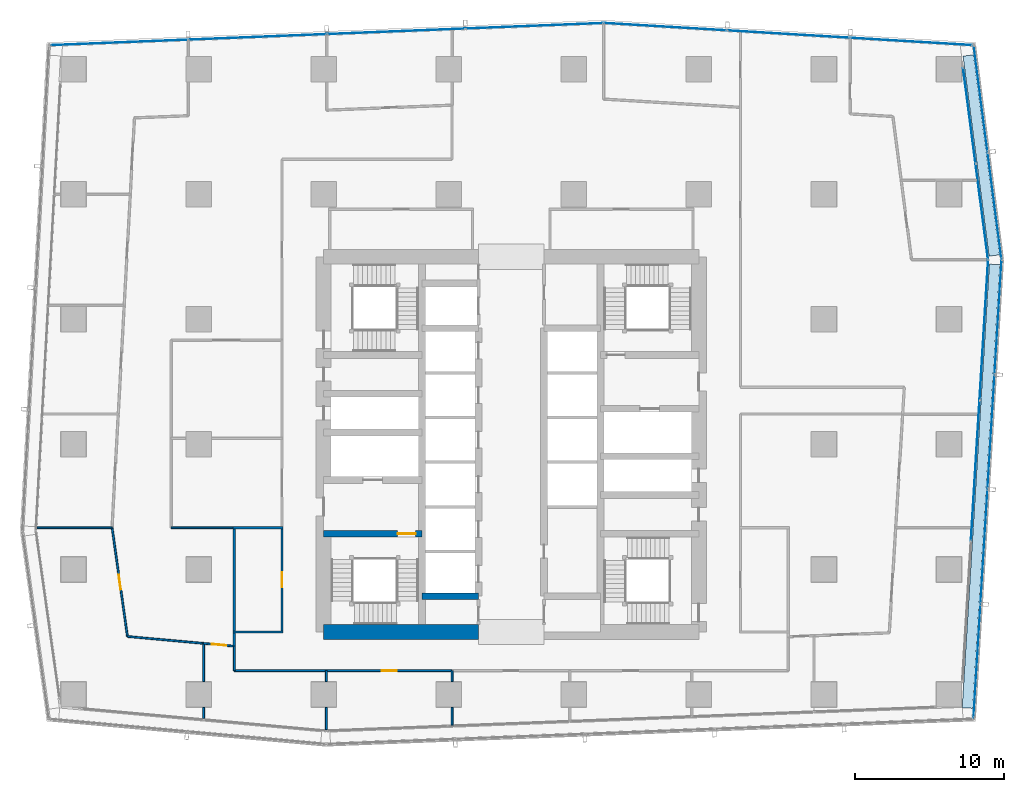
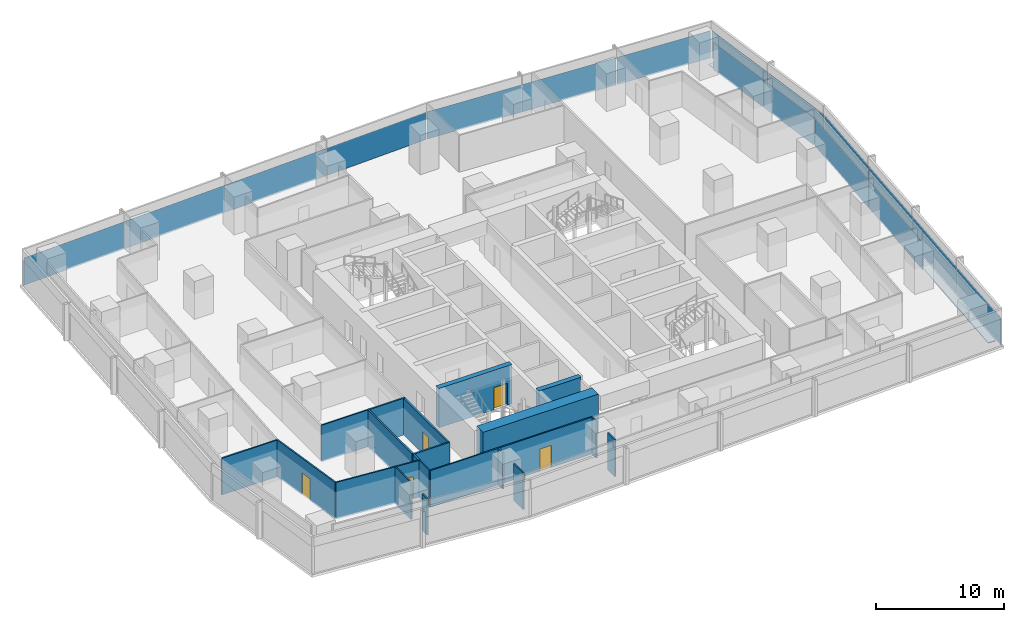
# One storey, part 28 of 40: 22 walls, 19 plates, 5 doors, 5 openings, 6 elements without a shape of their own.
"""IFC4 building model written with IfcOpenShell, lengths in metres."""

from ifc_helpers import new_model, si_unit, direction, frame, frame_2d, origin, origin_2d, place, context, subcontext, project, spatial, rectangle, extrude, material, layer, layer_set, type_object, element, fill, aggregate, save


model = new_model("IFC4")

# Units and contexts
model_context = context("Model", 3, precision=1e-05, world=origin(), true_north=direction((0.0, 1.0)))
body_context = subcontext(model_context, "Body", "Model", "MODEL_VIEW")
ifc_project = project(units=[si_unit("LENGTHUNIT", "METRE"), si_unit("AREAUNIT", "SQUARE_METRE"), si_unit("VOLUMEUNIT", "CUBIC_METRE"), si_unit("PLANEANGLEUNIT", "RADIAN"), si_unit("MASSUNIT", "GRAM", prefix="KILO")], contexts=[model_context])

# Site, building, storey
site_placement = place(None, origin())
site = spatial("IfcSite", under=ifc_project, at=site_placement, CompositionType="ELEMENT")
building_placement = place(site_placement, origin())
building = spatial("IfcBuilding", under=site, at=building_placement, Name="Rekha Terrace Tower", CompositionType="ELEMENT")
storey_placement = place(building_placement, frame((0.0, 0.0, 136.550048828125)))
storey = spatial("IfcBuildingStorey", under=building, at=storey_placement, Name="L34", CompositionType="ELEMENT", Elevation=136.550048828125)

# Curtain wall, plates
ifc_material_1 = material(Name="Aluminium framing", Category="aluminium")
curtain_wall_type_1 = type_object("IfcCurtainWallType", Name="CW1 double skin inner glazing", PredefinedType="USERDEFINED", material=ifc_material_1)
curtain_wall_1_placement = place(storey_placement, origin())
curtain_wall_1 = element("IfcCurtainWall", 1, at=curtain_wall_1_placement, inside=storey, type_object=curtain_wall_type_1, Name="CW1 double skin inner glazing", ObjectType="DOUBLE SKIN INNER GLAZING", PredefinedType="USERDEFINED")
ifc_material_2 = material(Name="Double-glazed low-e unit 32", Category="glass")
ifc_layer_1 = layer(ifc_material_2, 0.031982421875)
ifc_layer_set_1 = layer_set([ifc_layer_1], Name="Double-glazed low-e unit 32")
plate_type_1 = type_object("IfcPlateType", Name="CW1 jumbo vision panel, double-glazed low-e unit 32", PredefinedType="CURTAIN_PANEL", material=ifc_layer_set_1)
plate_1_placement = place(storey_placement, frame((68.968505859375, 31.8193359375, 0.0), z_axis=(0.0, 0.0, 1.0), x_axis=(0.061159803131, 0.998127987024, 0.0)))
plate_1 = element("IfcPlate", 2, at=plate_1_placement, type_object=plate_type_1, Name="CW1 panel 2.1", PredefinedType="CURTAIN_PANEL", context=body_context, shape_type="SweptSolid", body=[
    extrude(rectangle(XDim=9.3876953125, YDim=0.031982421875, at=origin_2d()), origin(), (0.0, 0.0, 1.0), 2.60009765625),
])
plate_2_placement = place(storey_placement, frame((69.547607421875, 41.2705078125, 0.0), z_axis=(0.0, 0.0, 1.0), x_axis=(0.061159803131, 0.998127987024, 0.0)))
plate_2 = element("IfcPlate", 3, at=plate_2_placement, type_object=plate_type_1, Name="CW1 panel 3.1", PredefinedType="CURTAIN_PANEL", context=body_context, shape_type="SweptSolid", body=[
    extrude(rectangle(XDim=9.420166015625, YDim=0.031982421875, at=origin_2d()), origin(), (0.0, 0.0, 1.0), 2.60009765625),
])
aggregate(curtain_wall_1, [plate_1, plate_2])

curtain_wall_2_placement = place(storey_placement, origin())
curtain_wall_2 = element("IfcCurtainWall", 4, at=curtain_wall_2_placement, inside=storey, type_object=curtain_wall_type_1, Name="CW1 double skin inner glazing", ObjectType="DOUBLE SKIN INNER GLAZING", PredefinedType="USERDEFINED")
plate_3_placement = place(storey_placement, frame((69.411376953125, 49.230712890625, 0.0), z_axis=(0.0, 0.0, 1.0), x_axis=(-0.129118383675, 0.991629186237, 0.0)))
plate_3 = element("IfcPlate", 5, at=plate_3_placement, type_object=plate_type_1, Name="CW1 panel 1.1", PredefinedType="CURTAIN_PANEL", context=body_context, shape_type="SweptSolid", body=[
    extrude(rectangle(XDim=6.443115234375, YDim=0.031982421875, at=origin_2d()), origin(), (0.0, 0.0, 1.0), 2.60009765625),
])
plate_4_placement = place(storey_placement, frame((68.571044921875, 55.68408203125, 0.0), z_axis=(0.0, 0.0, 1.0), x_axis=(-0.129118383675, 0.991629186237, 0.0)))
plate_4 = element("IfcPlate", 6, at=plate_4_placement, type_object=plate_type_1, Name="CW1 panel 2.1", PredefinedType="CURTAIN_PANEL", context=body_context, shape_type="SweptSolid", body=[
    extrude(rectangle(XDim=6.443115234375, YDim=0.031982421875, at=origin_2d()), origin(), (0.0, 0.0, 1.0), 2.60009765625),
])
aggregate(curtain_wall_2, [plate_3, plate_4])

curtain_wall_type_2 = type_object("IfcCurtainWallType", Name="CW2 double skin outer glazing", PredefinedType="USERDEFINED", material=ifc_material_1)
curtain_wall_3_placement = place(storey_placement, origin())
curtain_wall_3 = element("IfcCurtainWall", 7, at=curtain_wall_3_placement, inside=storey, type_object=curtain_wall_type_2, Name="CW2 double skin outer glazing", ObjectType="DOUBLE SKIN OUTER GLAZING", PredefinedType="USERDEFINED")
ifc_material_3 = material(Name="Toughened single glazing 12", Category="glass")
ifc_layer_2 = layer(ifc_material_3, 0.011962890625)
ifc_layer_set_2 = layer_set([ifc_layer_2], Name="Toughened single glazing 12")
plate_type_2 = type_object("IfcPlateType", Name="CW2 jumbo vision panel, toughened single glazing 12", PredefinedType="CURTAIN_PANEL", material=ifc_layer_set_2)
plate_5_placement = place(storey_placement, frame((69.086669921875, 19.0302734375, 0.0), z_axis=(0.0, 0.0, 1.0), x_axis=(0.061159803131, 0.998127987024, 0.0)))
plate_5 = element("IfcPlate", 8, at=plate_5_placement, type_object=plate_type_2, Name="CW2 panel 1.1", PredefinedType="CURTAIN_PANEL", context=body_context, shape_type="SweptSolid", body=[
    extrude(rectangle(XDim=7.6064453125, YDim=0.011962890625, at=origin_2d()), origin(), (0.0, 0.0, 1.0), 2.60009765625),
])
plate_6_placement = place(storey_placement, frame((69.557861328125, 26.722412109375, 0.0), z_axis=(0.0, 0.0, 1.0), x_axis=(0.061159803131, 0.998127987024, 0.0)))
plate_6 = element("IfcPlate", 9, at=plate_6_placement, type_object=plate_type_2, Name="CW2 panel 2.1", PredefinedType="CURTAIN_PANEL", context=body_context, shape_type="SweptSolid", body=[
    extrude(rectangle(XDim=7.646484375, YDim=0.011962890625, at=origin_2d()), origin(), (0.0, 0.0, 1.0), 2.60009765625),
])
plate_7_placement = place(storey_placement, frame((70.030517578125, 34.434326171875, 0.0), z_axis=(0.0, 0.0, 1.0), x_axis=(0.061159803131, 0.998127987024, 0.0)))
plate_7 = element("IfcPlate", 10, at=plate_7_placement, type_object=plate_type_2, Name="CW2 panel 3.1", PredefinedType="CURTAIN_PANEL", context=body_context, shape_type="SweptSolid", body=[
    extrude(rectangle(XDim=7.646484375, YDim=0.011962890625, at=origin_2d()), origin(), (0.0, 0.0, 1.0), 2.60009765625),
])
plate_8_placement = place(storey_placement, frame((70.50439453125, 42.16650390625, 0.0), z_axis=(0.0, 0.0, 1.0), x_axis=(0.061159803131, 0.998127987024, 0.0)))
plate_8 = element("IfcPlate", 11, at=plate_8_placement, type_object=plate_type_2, Name="CW2 panel 4.1", PredefinedType="CURTAIN_PANEL", context=body_context, shape_type="SweptSolid", body=[
    extrude(rectangle(XDim=7.6865234375, YDim=0.011962890625, at=origin_2d()), origin(), (0.0, 0.0, 1.0), 2.60009765625),
])
aggregate(curtain_wall_3, [plate_5, plate_6, plate_7, plate_8])

curtain_wall_4_placement = place(storey_placement, origin())
curtain_wall_4 = element("IfcCurtainWall", 12, at=curtain_wall_4_placement, inside=storey, type_object=curtain_wall_type_2, Name="CW2 double skin outer glazing", ObjectType="DOUBLE SKIN OUTER GLAZING", PredefinedType="USERDEFINED")
plate_9_placement = place(storey_placement, frame((70.2666015625, 49.6337890625, 0.0), z_axis=(0.0, 0.0, 1.0), x_axis=(-0.129118383623, 0.991629186244, 0.0)))
plate_9 = element("IfcPlate", 13, at=plate_9_placement, type_object=plate_type_2, Name="CW2 panel 1.1", PredefinedType="CURTAIN_PANEL", context=body_context, shape_type="SweptSolid", body=[
    extrude(rectangle(XDim=7.163818359375, YDim=0.011962890625, at=origin_2d()), origin(), (0.0, 0.0, 1.0), 2.60009765625),
])
plate_10_placement = place(storey_placement, frame((69.331298828125, 56.81689453125, 0.0), z_axis=(0.0, 0.0, 1.0), x_axis=(-0.129118383623, 0.991629186244, 0.0)))
plate_10 = element("IfcPlate", 14, at=plate_10_placement, type_object=plate_type_2, Name="CW2 panel 2.1", PredefinedType="CURTAIN_PANEL", context=body_context, shape_type="SweptSolid", body=[
    extrude(rectangle(XDim=7.163818359375, YDim=0.011962890625, at=origin_2d()), origin(), (0.0, 0.0, 1.0), 2.60009765625),
])
aggregate(curtain_wall_4, [plate_9, plate_10])

curtain_wall_type_3 = type_object("IfcCurtainWallType", Name="CW3 north unitised glazing", PredefinedType="USERDEFINED", material=ifc_material_1)
curtain_wall_5_placement = place(storey_placement, origin())
curtain_wall_5 = element("IfcCurtainWall", 15, at=curtain_wall_5_placement, inside=storey, type_object=curtain_wall_type_3, Name="CW3 unitised curtain wall", ObjectType="UNITISED CURTAIN WALL", PredefinedType="USERDEFINED")
ifc_material_4 = material(Name="Double-glazed unit 28", Category="glass")
ifc_layer_3 = layer(ifc_material_4, 0.028076171875)
ifc_layer_set_3 = layer_set([ifc_layer_3], Name="Double-glazed unit 28")
plate_type_3 = type_object("IfcPlateType", Name="CW3 jumbo vision panel, double-glazed unit 28", PredefinedType="CURTAIN_PANEL", material=ifc_layer_set_3)
plate_11_placement = place(storey_placement, frame((64.6748046875, 60.65966796875, 0.0), z_axis=(0.0, 0.0, 1.0), x_axis=(-0.998199102701, 0.059987926837, 0.0)))
plate_11 = element("IfcPlate", 16, at=plate_11_placement, type_object=plate_type_3, Name="CW3 panel 1.1", PredefinedType="CURTAIN_PANEL", context=body_context, shape_type="SweptSolid", body=[
    extrude(rectangle(XDim=8.171630859375, YDim=0.028076171875, at=origin_2d()), origin(), (0.0, 0.0, 1.0), 2.60009765625),
])
plate_12_placement = place(storey_placement, frame((56.430419921875, 61.155029296875, 0.0), z_axis=(0.0, 0.0, 1.0), x_axis=(-0.998199102701, 0.059987926837, 0.0)))
plate_12 = element("IfcPlate", 17, at=plate_12_placement, type_object=plate_type_3, Name="CW3 panel 2.1", PredefinedType="CURTAIN_PANEL", context=body_context, shape_type="SweptSolid", body=[
    extrude(rectangle(XDim=8.20654296875, YDim=0.028076171875, at=origin_2d()), origin(), (0.0, 0.0, 1.0), 2.60009765625),
])
plate_13_placement = place(storey_placement, frame((48.1513671875, 61.652587890625, 0.0), z_axis=(0.0, 0.0, 1.0), x_axis=(-0.998199102701, 0.059987926837, 0.0)))
plate_13 = element("IfcPlate", 18, at=plate_13_placement, type_object=plate_type_3, Name="CW3 panel 3.1", PredefinedType="CURTAIN_PANEL", context=body_context, shape_type="SweptSolid", body=[
    extrude(rectangle(XDim=8.24169921875, YDim=0.028076171875, at=origin_2d()), origin(), (0.0, 0.0, 1.0), 2.60009765625),
])
aggregate(curtain_wall_5, [plate_11, plate_12, plate_13])

curtain_wall_6_placement = place(storey_placement, origin())
curtain_wall_6 = element("IfcCurtainWall", 19, at=curtain_wall_6_placement, inside=storey, type_object=curtain_wall_type_3, Name="CW3 unitised curtain wall", ObjectType="UNITISED CURTAIN WALL", PredefinedType="USERDEFINED")
plate_14_placement = place(storey_placement, frame((39.364501953125, 61.71240234375, 0.0), z_axis=(0.0, 0.0, 1.0), x_axis=(-0.999198398721, -0.040031987119, 0.0)))
plate_14 = element("IfcPlate", 20, at=plate_14_placement, type_object=plate_type_3, Name="CW3 panel 1.1", PredefinedType="CURTAIN_PANEL", context=body_context, shape_type="SweptSolid", body=[
    extrude(rectangle(XDim=9.214599609375, YDim=0.028076171875, at=origin_2d()), origin(), (0.0, 0.0, 1.0), 2.60009765625),
])
plate_15_placement = place(storey_placement, frame((30.06982421875, 61.340087890625, 0.0), z_axis=(0.0, 0.0, 1.0), x_axis=(-0.999198398721, -0.040031987119, 0.0)))
plate_15 = element("IfcPlate", 21, at=plate_15_placement, type_object=plate_type_3, Name="CW3 panel 2.1", PredefinedType="CURTAIN_PANEL", context=body_context, shape_type="SweptSolid", body=[
    extrude(rectangle(XDim=9.24951171875, YDim=0.028076171875, at=origin_2d()), origin(), (0.0, 0.0, 1.0), 2.60009765625),
])
plate_16_placement = place(storey_placement, frame((20.7578125, 60.967041015625, 0.0), z_axis=(0.0, 0.0, 1.0), x_axis=(-0.999198398721, -0.040031987119, 0.0)))
plate_16 = element("IfcPlate", 22, at=plate_16_placement, type_object=plate_type_3, Name="CW3 panel 3.1", PredefinedType="CURTAIN_PANEL", context=body_context, shape_type="SweptSolid", body=[
    extrude(rectangle(XDim=9.24951171875, YDim=0.028076171875, at=origin_2d()), origin(), (0.0, 0.0, 1.0), 2.60009765625),
])
plate_17_placement = place(storey_placement, frame((11.46337890625, 60.5947265625, 0.0), z_axis=(0.0, 0.0, 1.0), x_axis=(-0.999198398721, -0.040031987119, 0.0)))
plate_17 = element("IfcPlate", 23, at=plate_17_placement, type_object=plate_type_3, Name="CW3 panel 4.1", PredefinedType="CURTAIN_PANEL", context=body_context, shape_type="SweptSolid", body=[
    extrude(rectangle(XDim=9.214599609375, YDim=0.028076171875, at=origin_2d()), origin(), (0.0, 0.0, 1.0), 2.60009765625),
])
aggregate(curtain_wall_6, [plate_14, plate_15, plate_16, plate_17])

# Plates
ifc_material_5 = material(Name="Galvanised steel open grating", Category="steel")
ifc_layer_4 = layer(ifc_material_5, 0.050048828125)
ifc_layer_set_4 = layer_set([ifc_layer_4], Name="Galvanised steel open grating")
plate_type_4 = type_object("IfcPlateType", Name="GT1 cavity walkway grating 50", PredefinedType="USERDEFINED", material=ifc_layer_set_4)
plate_18_placement = place(storey_placement, frame((69.356201171875, 30.78759765625, 0.0), z_axis=(0.0, 0.0, 1.0), x_axis=(0.061159803131, 0.998127987024, 0.0)))
element("IfcPlate", 24, at=plate_18_placement, inside=storey, type_object=plate_type_4, Name="Cavity walkway grating", ObjectType="CAVITY WALKWAY GRATING", PredefinedType="USERDEFINED", context=body_context, shape_type="SweptSolid", body=[
    extrude(rectangle(XDim=29.85595703125, YDim=0.705078125, at=origin_2d()), origin(), (0.0, 0.0, 1.0), 0.050048828125),
])
plate_19_placement = place(storey_placement, frame((69.373779296875, 53.004150390625, 0.0), z_axis=(0.0, 0.0, 1.0), x_axis=(-0.129118383623, 0.991629186244, 0.0)))
element("IfcPlate", 25, at=plate_19_placement, inside=storey, type_object=plate_type_4, Name="Cavity walkway grating", ObjectType="CAVITY WALKWAY GRATING", PredefinedType="USERDEFINED", context=body_context, shape_type="SweptSolid", body=[
    extrude(rectangle(XDim=13.552734375, YDim=0.705078125, at=origin_2d()), origin(), (0.0, 0.0, 1.0), 0.050048828125),
])

# Wall
ifc_material_6 = material(Name="Concrete M70", Category="concrete")
ifc_layer_5 = layer(ifc_material_6, 0.449951171875)
ifc_layer_set_5 = layer_set([ifc_layer_5], Name="Concrete M70")
wall_type_1 = type_object("IfcWallType", Name="CI2 450 core internal shear wall", PredefinedType="SHEAR", material=ifc_layer_set_5)
wall_1_placement = place(storey_placement, frame((31.800048828125, 23.39990234375, 0.0), z_axis=(0.0, 0.0, 1.0), x_axis=(1.0, 0.0, 0.0)))
element("IfcWall", 26, at=wall_1_placement, inside=storey, type_object=wall_type_1, Name="Core wall Y234W L34", PredefinedType="SHEAR", context=body_context, shape_type="SweptSolid", body=[
    extrude(rectangle(XDim=3.800048828125, YDim=0.449951171875, at=frame_2d((1.89990234375, 0.0))), origin(), (0.0, 0.0, 1.0), 3.75),
])

# Wall, opening, door
wall_2_placement = place(storey_placement, frame((25.199951171875, 27.60009765625, 0.0), z_axis=(0.0, 0.0, 1.0), x_axis=(1.0, 0.0, 0.0)))
wall_2 = element("IfcWall", 27, at=wall_2_placement, inside=storey, type_object=wall_type_1, Name="Core wall Y276W L34", PredefinedType="SHEAR", context=body_context, shape_type="SweptSolid", body=[
    extrude(rectangle(XDim=6.60009765625, YDim=0.449951171875, at=frame_2d((3.300048828125, 0.0))), origin(), (0.0, 0.0, 1.0), 3.75),
])
opening_1_placement = place(wall_2_placement, frame((4.97509765625, 0.0, 0.0)))
opening_1 = element("IfcOpeningElement", 28, at=opening_1_placement, cuts=wall_2, Name="Opening D1", PredefinedType="OPENING", context=body_context, shape_type="SweptSolid", body=[
    extrude(rectangle(XDim=1.199951171875, YDim=2.10009765625, at=frame_2d((0.60009765625, 1.050048828125))), frame((0.0, 0.23486328125, 0.0), z_axis=(0.0, -1.0, 0.0), x_axis=(1.0, 0.0, 0.0)), (0.0, 0.0, 1.0), 0.469970703125),
])
ifc_material_7 = material(Name="Steel fire door", Category="steel")
door_type_1 = type_object("IfcDoorType", Name="D1 1200x2100 stair fire door", OperationType="SINGLE_SWING_RIGHT", PredefinedType="DOOR", material=ifc_material_7)
door_1_placement = place(opening_1_placement, origin())
door_1 = element("IfcDoor", 29, at=door_1_placement, inside=storey, type_object=door_type_1, Name="Stair ST1 door L34", OperationType="SINGLE_SWING_RIGHT", OverallHeight=2.10009765625, OverallWidth=1.199951171875, PredefinedType="DOOR", context=body_context, shape_type="SweptSolid", body=[
    extrude(rectangle(XDim=1.199951171875, YDim=2.10009765625, at=frame_2d((0.60009765625, 1.050048828125))), frame((0.0, 0.02490234375, 0.0), z_axis=(0.0, -1.0, 0.0), x_axis=(1.0, 0.0, 0.0)), (0.0, 0.0, 1.0), 0.050048828125),
])
fill(opening_1, door_1)

# Walls
ifc_layer_6 = layer(ifc_material_6, 1.0)
ifc_layer_set_6 = layer_set([ifc_layer_6], Name="Concrete M70")
wall_type_2 = type_object("IfcWallType", Name="SW2 1000 core outer shear wall", PredefinedType="SHEAR", material=ifc_layer_set_6)
wall_3_placement = place(storey_placement, frame((25.199951171875, 21.0, 0.0), z_axis=(0.0, 0.0, 1.0), x_axis=(1.0, 0.0, 0.0)))
element("IfcWall", 30, at=wall_3_placement, inside=storey, type_object=wall_type_2, Name="Core wall S1 L34", PredefinedType="SHEAR", context=body_context, shape_type="SweptSolid", body=[
    extrude(rectangle(XDim=10.400146484375, YDim=1.0, at=frame_2d((5.2001953125, 0.0))), origin(), (0.0, 0.0, 1.0), 3.75),
])
ifc_material_8 = material(Name="Concrete block masonry, 1 hour", Category="masonry")
ifc_layer_7 = layer(ifc_material_8, 0.14990234375)
ifc_layer_set_7 = layer_set([ifc_layer_7], Name="Concrete block masonry, 1 hour")
wall_type_3 = type_object("IfcWallType", Name="WP2 150 tenancy partition", PredefinedType="PARTITIONING", material=ifc_layer_set_7)
for number, where, z_axis, x_axis, name in (
    (31, (19.125, 21.0, 0.0), (0.0, 0.0, 1.0), (1.0, 0.0, 0.0), "Men's WC wall L34"),
    (32, (19.125, 28.0, 0.0), (0.0, 0.0, 1.0), (1.0, 0.0, 0.0), "Men's WC wall L34"),
):
    element("IfcWall", number, at=place(storey_placement, frame(where, z_axis=z_axis, x_axis=x_axis)), inside=storey, type_object=wall_type_3, Name=name, PredefinedType="PARTITIONING", context=body_context, shape_type="SweptSolid", body=[
        extrude(rectangle(XDim=3.35009765625, YDim=0.14990234375, at=frame_2d((1.675048828125, 0.0))), origin(), (0.0, 0.0, 1.0), 3.5),
    ])
wall_4_placement = place(storey_placement, frame((19.199951171875, 21.074951171875, 0.0), z_axis=(0.0, 0.0, 1.0), x_axis=(0.0, 1.0, 0.0)))
element("IfcWall", 33, at=wall_4_placement, inside=storey, type_object=wall_type_3, Name="Men's WC wall L34", PredefinedType="PARTITIONING", context=body_context, shape_type="SweptSolid", body=[
    extrude(rectangle(XDim=6.85009765625, YDim=0.14990234375, at=frame_2d((3.425048828125, 0.0))), origin(), (0.0, 0.0, 1.0), 3.5),
])

# Wall, opening, door
wall_5_placement = place(storey_placement, frame((22.39990234375, 21.074951171875, 0.0), z_axis=(0.0, 0.0, 1.0), x_axis=(0.0, 1.0, 0.0)))
wall_5 = element("IfcWall", 34, at=wall_5_placement, inside=storey, type_object=wall_type_3, Name="Men's WC wall L34", PredefinedType="PARTITIONING", context=body_context, shape_type="SweptSolid", body=[
    extrude(rectangle(XDim=6.85009765625, YDim=0.14990234375, at=frame_2d((3.425048828125, 0.0))), origin(), (0.0, 0.0, 1.0), 3.5),
])
opening_2_placement = place(wall_5_placement, frame((2.925048828125, 0.0, 0.0)))
opening_2 = element("IfcOpeningElement", 35, at=opening_2_placement, cuts=wall_5, Name="Opening D3", PredefinedType="OPENING", context=body_context, shape_type="SweptSolid", body=[
    extrude(rectangle(XDim=1.0, YDim=2.10009765625, at=frame_2d((0.5, 1.050048828125))), frame((0.0, 0.0849609375, 0.0), z_axis=(0.0, -1.0, 0.0), x_axis=(1.0, 0.0, 0.0)), (0.0, 0.0, 1.0), 0.169921875),
])
ifc_material_9 = material(Name="Laminated timber fire door", Category="wood")
door_type_2 = type_object("IfcDoorType", Name="D3 1000x2100 WC door", OperationType="SINGLE_SWING_LEFT", PredefinedType="DOOR", material=ifc_material_9)
door_2_placement = place(opening_2_placement, origin())
door_2 = element("IfcDoor", 36, at=door_2_placement, inside=storey, type_object=door_type_2, Name="Door men's wc L34", OperationType="SINGLE_SWING_LEFT", OverallHeight=2.10009765625, OverallWidth=1.0, PredefinedType="DOOR", context=body_context, shape_type="SweptSolid", body=[
    extrude(rectangle(XDim=1.0, YDim=2.10009765625, at=frame_2d((0.5, 1.050048828125))), frame((0.0, 0.02490234375, 0.0), z_axis=(0.0, -1.0, 0.0), x_axis=(1.0, 0.0, 0.0)), (0.0, 0.0, 1.0), 0.050048828125),
])
fill(opening_2, door_2)

# Wall
wall_6_placement = place(storey_placement, frame((19.199951171875, 20.925048828125, 0.0), z_axis=(0.0, 0.0, 1.0), x_axis=(0.0, -1.0, 0.0)))
element("IfcWall", 37, at=wall_6_placement, inside=storey, type_object=wall_type_3, Name="Partition L34-O2", PredefinedType="PARTITIONING", context=body_context, shape_type="SweptSolid", body=[
    extrude(rectangle(XDim=0.884033203125, YDim=0.14990234375, at=frame_2d((0.44189453125, 0.0))), origin(), (0.0, 0.0, 1.0), 3.5),
])

# Wall, opening, door
ifc_material_10 = material(Name="Two layers of fire-rated gypsum board each side on steel studs, acoustic quilt, 1 hour", Category="steel")
ifc_layer_8 = layer(ifc_material_10, 0.125)
ifc_layer_set_8 = layer_set([ifc_layer_8], Name="Two layers of fire-rated gypsum board each side on steel studs, acoustic quilt, 1 hour")
wall_type_4 = type_object("IfcWallType", Name="WP3 125 office partition", PredefinedType="PARTITIONING", material=ifc_layer_set_8)
wall_7_placement = place(storey_placement, frame((25.3798828125, 18.39990234375, 0.0), z_axis=(0.0, 0.0, 1.0), x_axis=(1.0, 0.0, 0.0)))
wall_7 = element("IfcWall", 38, at=wall_7_placement, inside=storey, type_object=wall_type_4, Name="Partition L34-08", PredefinedType="PARTITIONING", context=body_context, shape_type="SweptSolid", body=[
    extrude(rectangle(XDim=8.445068359375, YDim=0.125, at=frame_2d((4.22265625, 0.0))), origin(), (0.0, 0.0, 1.0), 3.5),
])
opening_3_placement = place(wall_7_placement, frame((3.722900390625, 0.0, 0.0)))
opening_3 = element("IfcOpeningElement", 39, at=opening_3_placement, cuts=wall_7, Name="Opening D9", PredefinedType="OPENING", context=body_context, shape_type="SweptSolid", body=[
    extrude(rectangle(XDim=1.0, YDim=2.10009765625, at=frame_2d((0.5, 1.050048828125))), frame((0.0, 0.072509765625, 0.0), z_axis=(0.0, -1.0, 0.0), x_axis=(1.0, 0.0, 0.0)), (0.0, 0.0, 1.0), 0.14501953125),
])
ifc_material_11 = material(Name="Timber fire door", Category="wood")
door_type_3 = type_object("IfcDoorType", Name="D9 1000x2100 office door", OperationType="SINGLE_SWING_LEFT", PredefinedType="DOOR", material=ifc_material_11)
door_3_placement = place(opening_3_placement, origin())
door_3 = element("IfcDoor", 40, at=door_3_placement, inside=storey, type_object=door_type_3, Name="Door print room L34", OperationType="SINGLE_SWING_LEFT", OverallHeight=2.10009765625, OverallWidth=1.0, PredefinedType="DOOR", context=body_context, shape_type="SweptSolid", body=[
    extrude(rectangle(XDim=1.0, YDim=2.10009765625, at=frame_2d((0.5, 1.050048828125))), frame((0.0, 0.02490234375, 0.0), z_axis=(0.0, -1.0, 0.0), x_axis=(1.0, 0.0, 0.0)), (0.0, 0.0, 1.0), 0.050048828125),
])
fill(opening_3, door_3)

# Walls
wall_8_placement = place(storey_placement, frame((33.824951171875, 18.39990234375, 0.0), z_axis=(0.0, 0.0, 1.0), x_axis=(0.0, -1.0, 0.0)))
element("IfcWall", 41, at=wall_8_placement, inside=storey, type_object=wall_type_4, Name="Partition L34-08", PredefinedType="PARTITIONING", context=body_context, shape_type="SweptSolid", body=[
    extrude(rectangle(XDim=0.72998046875, YDim=0.125, at=frame_2d((0.364990234375, 0.0))), origin(), (0.0, 0.0, 1.0), 3.5),
])
wall_9_placement = place(storey_placement, frame((33.824951171875, 15.929931640625, 0.0), z_axis=(0.0, 0.0, 1.0), x_axis=(0.0, -1.0, 0.0)))
element("IfcWall", 42, at=wall_9_placement, inside=storey, type_object=wall_type_4, Name="Partition L34-08", PredefinedType="PARTITIONING", context=body_context, shape_type="SweptSolid", body=[
    extrude(rectangle(XDim=1.18798828125, YDim=0.125, at=frame_2d((0.593994140625, 0.0))), origin(), (0.0, 0.0, 1.0), 3.5),
])
wall_10_placement = place(storey_placement, frame((25.3798828125, 14.443115234375, 0.0), z_axis=(0.0, 0.0, 1.0), x_axis=(0.0, 1.0, 0.0)))
element("IfcWall", 43, at=wall_10_placement, inside=storey, type_object=wall_type_4, Name="Partition L34-08", PredefinedType="PARTITIONING", context=body_context, shape_type="SweptSolid", body=[
    extrude(rectangle(XDim=1.48681640625, YDim=0.125, at=frame_2d((0.743408203125, 0.0))), origin(), (0.0, 0.0, 1.0), 3.5),
])
wall_11_placement = place(storey_placement, frame((25.3798828125, 17.669921875, 0.0), z_axis=(0.0, 0.0, 1.0), x_axis=(0.0, 1.0, 0.0)))
element("IfcWall", 44, at=wall_11_placement, inside=storey, type_object=wall_type_4, Name="Partition L34-08", PredefinedType="PARTITIONING", context=body_context, shape_type="SweptSolid", body=[
    extrude(rectangle(XDim=0.72998046875, YDim=0.125, at=frame_2d((0.364990234375, 0.0))), origin(), (0.0, 0.0, 1.0), 3.5),
])
wall_12_placement = place(storey_placement, frame((10.98193359375, 28.0, 0.0), z_axis=(0.0, 0.0, 1.0), x_axis=(-1.0, 0.0, 0.0)))
element("IfcWall", 45, at=wall_12_placement, inside=storey, type_object=wall_type_4, Name="Partition L34-15", PredefinedType="PARTITIONING", context=body_context, shape_type="SweptSolid", body=[
    extrude(rectangle(XDim=5.02783203125, YDim=0.125, at=frame_2d((2.513916015625, 0.0))), origin(), (0.0, 0.0, 1.0), 3.5),
])

# Wall, opening, door
wall_13_placement = place(storey_placement, frame((10.988037109375, 27.9990234375, 0.0), z_axis=(0.0, 0.0, 1.0), x_axis=(0.139623458625, -0.990204670662, 0.0)))
wall_13 = element("IfcWall", 46, at=wall_13_placement, inside=storey, type_object=wall_type_4, Name="Partition L34-16", PredefinedType="PARTITIONING", context=body_context, shape_type="SweptSolid", body=[
    extrude(rectangle(XDim=7.377197265625, YDim=0.125, at=frame_2d((3.6884765625, 0.0))), origin(), (0.0, 0.0, 1.0), 3.5),
])
opening_4_placement = place(wall_13_placement, frame((3.18896484375, 0.0, 0.0)))
opening_4 = element("IfcOpeningElement", 47, at=opening_4_placement, cuts=wall_13, Name="Opening D9", PredefinedType="OPENING", context=body_context, shape_type="SweptSolid", body=[
    extrude(rectangle(XDim=1.0, YDim=2.10009765625, at=frame_2d((0.5, 1.050048828125))), frame((0.0, 0.072509765625, 0.0), z_axis=(0.0, -1.0, 0.0), x_axis=(1.0, 0.0, 0.0)), (0.0, 0.0, 1.0), 0.14501953125),
])
door_4_placement = place(opening_4_placement, origin())
door_4 = element("IfcDoor", 48, at=door_4_placement, inside=storey, type_object=door_type_3, Name="Door director's office L34", OperationType="SINGLE_SWING_LEFT", OverallHeight=2.10009765625, OverallWidth=1.0, PredefinedType="DOOR", context=body_context, shape_type="SweptSolid", body=[
    extrude(rectangle(XDim=1.0, YDim=2.10009765625, at=frame_2d((0.5, 1.050048828125))), frame((0.0, 0.02490234375, 0.0), z_axis=(0.0, -1.0, 0.0), x_axis=(1.0, 0.0, 0.0)), (0.0, 0.0, 1.0), 0.050048828125),
])
fill(opening_4, door_4)

# Walls
wall_14_placement = place(storey_placement, frame((12.01806640625, 20.694091796875, 0.0), z_axis=(0.0, 0.0, 1.0), x_axis=(0.995893206468, -0.090535746043, 0.0)))
element("IfcWall", 49, at=wall_14_placement, inside=storey, type_object=wall_type_4, Name="Partition L34-16", PredefinedType="PARTITIONING", context=body_context, shape_type="SweptSolid", body=[
    extrude(rectangle(XDim=5.136962890625, YDim=0.125, at=frame_2d((2.568359375, 0.0))), origin(), (0.0, 0.0, 1.0), 3.5),
])
wall_15_placement = place(storey_placement, frame((17.134033203125, 20.22900390625, 0.0), z_axis=(0.0, 0.0, 1.0), x_axis=(0.0, -1.0, 0.0)))
element("IfcWall", 50, at=wall_15_placement, inside=storey, type_object=wall_type_4, Name="Partition L34-16", PredefinedType="PARTITIONING", context=body_context, shape_type="SweptSolid", body=[
    extrude(rectangle(XDim=2.55908203125, YDim=0.125, at=frame_2d((1.279541015625, 0.0))), origin(), (0.0, 0.0, 1.0), 3.5),
])
wall_16_placement = place(storey_placement, frame((17.134033203125, 15.929931640625, 0.0), z_axis=(0.0, 0.0, 1.0), x_axis=(0.0, -1.0, 0.0)))
element("IfcWall", 51, at=wall_16_placement, inside=storey, type_object=wall_type_4, Name="Partition L34-16", PredefinedType="PARTITIONING", context=body_context, shape_type="SweptSolid", body=[
    extrude(rectangle(XDim=0.741943359375, YDim=0.125, at=frame_2d((0.37109375, 0.0))), origin(), (0.0, 0.0, 1.0), 3.5),
])
wall_17_placement = place(storey_placement, frame((19.199951171875, 18.39990234375, 0.0), z_axis=(0.0, 0.0, 1.0), x_axis=(1.0, 0.0, 0.0)))
element("IfcWall", 52, at=wall_17_placement, inside=storey, type_object=wall_type_4, Name="Partition L34-17", PredefinedType="PARTITIONING", context=body_context, shape_type="SweptSolid", body=[
    extrude(rectangle(XDim=6.178955078125, YDim=0.125, at=frame_2d((3.08935546875, 0.0))), origin(), (0.0, 0.0, 1.0), 3.5),
])

# Wall, opening, door
wall_18_placement = place(storey_placement, frame((17.135009765625, 20.22900390625, 0.0), z_axis=(0.0, 0.0, 1.0), x_axis=(0.995881616909, -0.090663140816, 0.0)))
wall_18 = element("IfcWall", 53, at=wall_18_placement, inside=storey, type_object=wall_type_4, Name="Partition L34-17", PredefinedType="PARTITIONING", context=body_context, shape_type="SweptSolid", body=[
    extrude(rectangle(XDim=2.073486328125, YDim=0.125, at=frame_2d((1.03662109375, 0.0))), origin(), (0.0, 0.0, 1.0), 3.5),
])
opening_5_placement = place(wall_18_placement, frame((0.537109375, 0.0, 0.0)))
opening_5 = element("IfcOpeningElement", 54, at=opening_5_placement, cuts=wall_18, Name="Opening D9", PredefinedType="OPENING", context=body_context, shape_type="SweptSolid", body=[
    extrude(rectangle(XDim=1.0, YDim=2.10009765625, at=frame_2d((0.5, 1.050048828125))), frame((0.0, 0.072509765625, 0.0), z_axis=(0.0, -1.0, 0.0), x_axis=(1.0, 0.0, 0.0)), (0.0, 0.0, 1.0), 0.14501953125),
])
door_5_placement = place(opening_5_placement, origin())
door_5 = element("IfcDoor", 55, at=door_5_placement, inside=storey, type_object=door_type_3, Name="Door breakout lounge L34", OperationType="SINGLE_SWING_LEFT", OverallHeight=2.10009765625, OverallWidth=1.0, PredefinedType="DOOR", context=body_context, shape_type="SweptSolid", body=[
    extrude(rectangle(XDim=1.0, YDim=2.10009765625, at=frame_2d((0.5, 1.050048828125))), frame((0.0, 0.02490234375, 0.0), z_axis=(0.0, -1.0, 0.0), x_axis=(1.0, 0.0, 0.0)), (0.0, 0.0, 1.0), 0.050048828125),
])
fill(opening_5, door_5)

# Walls
wall_19_placement = place(storey_placement, frame((19.199951171875, 20.041015625, 0.0), z_axis=(0.0, 0.0, 1.0), x_axis=(0.0, -1.0, 0.0)))
element("IfcWall", 56, at=wall_19_placement, inside=storey, type_object=wall_type_4, Name="Partition L34-17", PredefinedType="PARTITIONING", context=body_context, shape_type="SweptSolid", body=[
    extrude(rectangle(XDim=1.64111328125, YDim=0.125, at=frame_2d((0.820556640625, 0.0))), origin(), (0.0, 0.0, 1.0), 3.5),
])
wall_20_placement = place(storey_placement, frame((19.125, 28.0, 0.0), z_axis=(0.0, 0.0, 1.0), x_axis=(-1.0, 0.0, 0.0)))
element("IfcWall", 57, at=wall_20_placement, inside=storey, type_object=wall_type_4, Name="Partition L34-18", PredefinedType="PARTITIONING", context=body_context, shape_type="SweptSolid", body=[
    extrude(rectangle(XDim=4.175048828125, YDim=0.125, at=frame_2d((2.08740234375, 0.0))), origin(), (0.0, 0.0, 1.0), 3.5),
])

save(model, "model.ifc")
